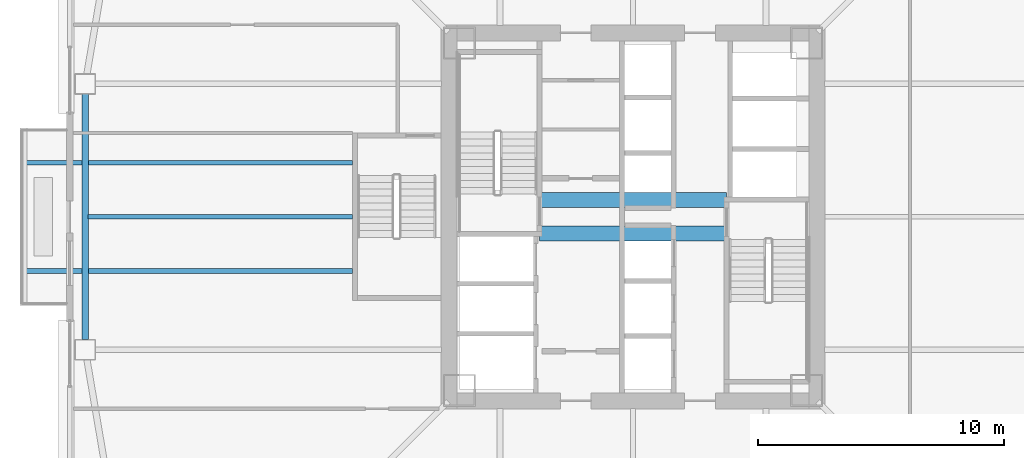
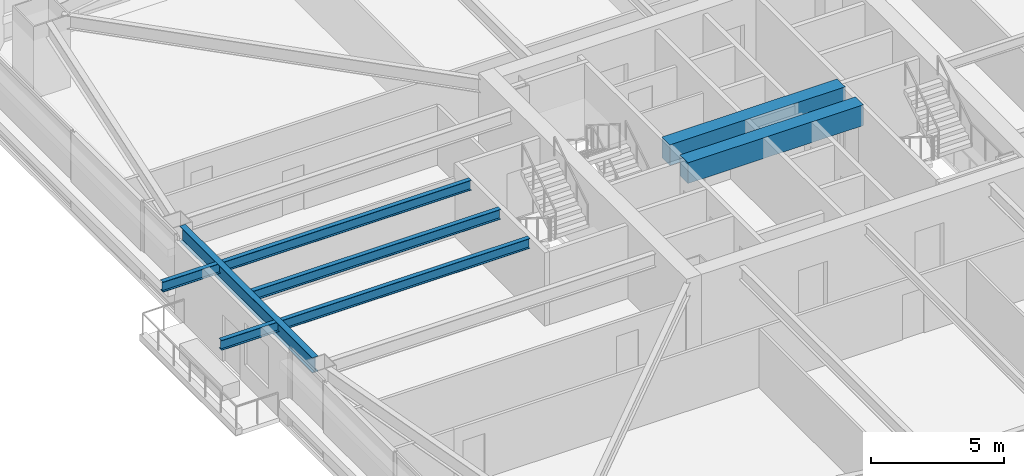
# One storey, part 7 of 47: 6 beams.
"""IFC4 building model written with IfcOpenShell, lengths in metres."""

import ifcopenshell
import ifcopenshell.guid

model = None  # the IFC model being written
_history = None  # IfcOwnerHistory: only IFC2X3 demands one
_inside = {}  # id of a spatial element -> (the spatial element, [elements in it])
_under = {}  # id of a project, library or spatial element -> (it, [spatial elements below it])
_declared = {}  # id of a project -> (the project, [libraries it declares])
_typed = {}  # id of a type object -> (the type object, [elements of that type])
_made_of = {}  # id of a material, layer set ... -> (it, [elements and type objects made of it])


def new_model(schema):
    """Start an empty IFC model of exactly this schema.

    Asked for "IFC4X3", IfcOpenShell would pick the latest addendum, in which some entities
    have other attributes; the version numbers below select the first issue.
    IFC2X3 requires an IfcOwnerHistory on every rooted entity: one is made here for all.
    """
    global model, _history
    if schema == "IFC4X3":
        model = ifcopenshell.file(schema_version=(4, 3, 0, 0))
    else:
        model = ifcopenshell.file(schema=schema)
    _inside.clear()
    _under.clear()
    _declared.clear()
    _typed.clear()
    _made_of.clear()
    _history = None
    if model.schema == "IFC2X3":
        org = make("IfcOrganization", Name="unknown")
        user = make(
            "IfcPersonAndOrganization",
            ThePerson=make("IfcPerson", FamilyName="unknown"),
            TheOrganization=org,
        )
        app = make(
            "IfcApplication",
            ApplicationDeveloper=org,
            Version="unknown",
            ApplicationFullName="unknown",
            ApplicationIdentifier="unknown",
        )
        _history = make(
            "IfcOwnerHistory",
            OwningUser=user,
            OwningApplication=app,
            ChangeAction="ADDED",
            CreationDate=0,
        )
    return model


def make(cls, **values):
    """One entity of the class cls with the attributes given. An attribute that is None is left unset."""
    return model.create_entity(
        cls, **{name: value for name, value in values.items() if value is not None}
    )


def rooted(cls, **values):
    """An entity with a GlobalId (a new one), such as an element, a storey or a relation."""
    return make(cls, GlobalId=ifcopenshell.guid.new(), OwnerHistory=_history, **values)


def si_unit(unit_type, name, prefix=None):
    """IfcSIUnit, for example si_unit("LENGTHUNIT", "METRE", prefix="MILLI")."""
    return make("IfcSIUnit", UnitType=unit_type, Prefix=prefix, Name=name)


def assignment(units):
    """IfcUnitAssignment: the units of a project."""
    return None if units is None else make("IfcUnitAssignment", Units=units)


def point(xyz):
    """IfcCartesianPoint."""
    return None if xyz is None else make("IfcCartesianPoint", Coordinates=xyz)


def direction(xyz):
    """IfcDirection."""
    return None if xyz is None else make("IfcDirection", DirectionRatios=xyz)


def frame(location, z_axis=None, x_axis=None):
    """IfcAxis2Placement3D, a coordinate frame: its origin and axes. An axis left out is left unset."""
    return make(
        "IfcAxis2Placement3D",
        Location=point(location),
        Axis=direction(z_axis),
        RefDirection=direction(x_axis),
    )


def frame_2d(location, x_axis=None):
    """IfcAxis2Placement2D, a coordinate frame in the plane: its origin and x axis."""
    return make(
        "IfcAxis2Placement2D", Location=point(location), RefDirection=direction(x_axis)
    )


def origin():
    """The frame at (0, 0, 0) with its axes left unset."""
    return frame((0.0, 0.0, 0.0))


def origin_2d():
    """The frame at (0, 0) in the plane with its x axis left unset."""
    return frame_2d((0.0, 0.0))


def place(relative_to, where):
    """IfcLocalPlacement: puts the frame where relative to a parent placement (None: the world)."""
    return make(
        "IfcLocalPlacement", PlacementRelTo=relative_to, RelativePlacement=where
    )


def context(
    kind, dimensions, precision=None, world=None, true_north=None, identifier=None
):
    """IfcGeometricRepresentationContext, for example the 3D "Model" context."""
    return make(
        "IfcGeometricRepresentationContext",
        ContextIdentifier=identifier,
        ContextType=kind,
        CoordinateSpaceDimension=dimensions,
        Precision=precision,
        WorldCoordinateSystem=world,
        TrueNorth=true_north,
    )


def subcontext(parent, identifier, kind, view, scale=None):
    """IfcGeometricRepresentationSubContext, for example "Body" below "Model"."""
    return make(
        "IfcGeometricRepresentationSubContext",
        ContextIdentifier=identifier,
        ContextType=kind,
        ParentContext=parent,
        TargetScale=scale,
        TargetView=view,
    )


def project(units=None, contexts=None):
    """IfcProject with its units and contexts."""
    return rooted(
        "IfcProject",
        Name="project",
        RepresentationContexts=contexts,
        UnitsInContext=assignment(units),
    )


def spatial(cls, under=None, at=None, **own):
    """A site, building, storey or space (cls), placed at a placement, below another one or the project."""
    s = rooted(cls, ObjectPlacement=at, **own)
    if under is not None:
        _under.setdefault(under.id(), (under, []))[1].append(s)
    return s


def profile(cls, at=None, kind="AREA", **sizes):
    """A parametric profile (cls). Its sizes go by their IFC names, for example OverallWidth=200.0."""
    return make(cls, ProfileType=kind, Position=at, **sizes)


def rectangle(**sizes):
    """IfcRectangleProfileDef."""
    return profile("IfcRectangleProfileDef", **sizes)


def i_section(**sizes):
    """IfcIShapeProfileDef."""
    return profile("IfcIShapeProfileDef", **sizes)


def extrude(swept, where, along, depth):
    """IfcExtrudedAreaSolid: the profile swept, set in the frame where, extruded along a direction by depth."""
    return make(
        "IfcExtrudedAreaSolid",
        SweptArea=swept,
        Position=where,
        ExtrudedDirection=direction(along),
        Depth=depth,
    )


def shape(context_of_items, identifier, shape_type, items):
    """IfcShapeRepresentation: the items that make up one representation, for example the "Body"."""
    return make(
        "IfcShapeRepresentation",
        ContextOfItems=context_of_items,
        RepresentationIdentifier=identifier,
        RepresentationType=shape_type,
        Items=items,
    )


def material(Name=None, Category=None):
    """IfcMaterial."""
    return make("IfcMaterial", Name=Name, Category=Category)


def material_profile(
    of_material, cross_section, Name=None, Category=None, Priority=None
):
    """IfcMaterialProfile: a cross section and its material."""
    return make(
        "IfcMaterialProfile",
        Name=Name,
        Material=of_material,
        Profile=cross_section,
        Priority=Priority,
        Category=Category,
    )


def profile_set(profiles, Name=None, composite=None):
    """IfcMaterialProfileSet."""
    return make(
        "IfcMaterialProfileSet",
        Name=Name,
        MaterialProfiles=profiles,
        CompositeProfile=composite,
    )


def made_of(thing, what):
    """Note that an element or type object is made of a material, layer set ...; save() writes the relation."""
    if what is not None:
        _made_of.setdefault(what.id(), (what, []))[1].append(thing)
    return thing


def type_object(cls, material=None, **own):
    """A type object (cls), such as IfcWallType, which elements share."""
    return made_of(rooted(cls, **own), material)


def element(
    cls,
    number,
    at=None,
    inside=None,
    cuts=None,
    type_object=None,
    material=None,
    context=None,
    identifier="Body",
    shape_type=None,
    held_by="IfcProductDefinitionShape",
    body=None,
    shapes=None,
    **own,
):
    """One element of the class cls, such as IfcWall. Its Tag is "e" and its number.

    at: its placement. inside: the storey or other place that contains it. cuts: it is an
    opening in that element (IfcRelVoidsElement). A single representation is given by context,
    identifier, shape_type and body (its items); several are given by shapes. held_by: the class
    of the entity that holds the representations. save() writes the other relations.
    """
    e = rooted(cls, Tag="e%d" % number, ObjectPlacement=at, **own)
    if body is not None:
        shapes = [shape(context, identifier, shape_type, body)]
    if shapes is not None:
        e.Representation = make(held_by, Representations=shapes)
    if inside is not None:
        _inside.setdefault(inside.id(), (inside, []))[1].append(e)
    if cuts is not None:
        rooted(
            "IfcRelVoidsElement", RelatingBuildingElement=cuts, RelatedOpeningElement=e
        )
    if type_object is not None:
        _typed.setdefault(type_object.id(), (type_object, []))[1].append(e)
    return made_of(e, material)


def aggregate(whole, parts):
    """IfcRelAggregates: a whole, such as a stair, and the parts it consists of."""
    return rooted("IfcRelAggregates", RelatingObject=whole, RelatedObjects=parts)


def save(model, path):
    """Write the relations noted so far, then the file.

    IfcRelAggregates (storeys below a building ...), IfcRelContainedInSpatialStructure (elements
    in a storey), IfcRelDefinesByType, IfcRelAssociatesMaterial and IfcRelDeclares: one each for
    every whole, place, type object, material and project.
    """
    for whole, parts in _under.values():
        aggregate(whole, parts)
    for where, things in _inside.values():
        rooted(
            "IfcRelContainedInSpatialStructure",
            RelatedElements=things,
            RelatingStructure=where,
        )
    for kind, things in _typed.values():
        rooted("IfcRelDefinesByType", RelatedObjects=things, RelatingType=kind)
    for what, things in _made_of.values():
        rooted("IfcRelAssociatesMaterial", RelatedObjects=things, RelatingMaterial=what)
    for by, libraries in _declared.values():
        rooted("IfcRelDeclares", RelatingContext=by, RelatedDefinitions=libraries)
    model.write(path)


model = new_model("IFC4")

# Units and contexts
model_context = context("Model", 3, precision=1e-05, world=origin(), true_north=direction((0.0, 1.0)))
body_context = subcontext(model_context, "Body", "Model", "MODEL_VIEW")
ifc_project = project(units=[si_unit("LENGTHUNIT", "METRE"), si_unit("AREAUNIT", "SQUARE_METRE"), si_unit("VOLUMEUNIT", "CUBIC_METRE"), si_unit("PLANEANGLEUNIT", "RADIAN"), si_unit("MASSUNIT", "GRAM", prefix="KILO")], contexts=[model_context])

# Site, building, storey
site_placement = place(None, origin())
site = spatial("IfcSite", under=ifc_project, at=site_placement, CompositionType="ELEMENT")
building_placement = place(site_placement, origin())
building = spatial("IfcBuilding", under=site, at=building_placement, Name="Tashvorn Skyway Center", CompositionType="ELEMENT")
storey_placement = place(building_placement, frame((0.0, 0.0, 42.35009765625)))
storey = spatial("IfcBuildingStorey", under=building, at=storey_placement, Name="L10", CompositionType="ELEMENT", Elevation=42.35009765625)

# Beams
ifc_material_1 = material(Name="Steel ASTM A992 Grade 50", Category="steel")
ifc_material_profile_1 = material_profile(ifc_material_1, i_section(OverallWidth=0.19091796875, OverallDepth=0.4599609375, WebThickness=0.010009765625, FlangeThickness=0.01611328125, at=origin_2d()), Name="W18X55")
ifc_profile_set_1 = profile_set([ifc_material_profile_1], Name="Steel ASTM A992 Grade 50")
beam_type_1 = type_object("IfcBeamType", Name="BM-JOIST-W18X55", PredefinedType="JOIST", material=ifc_profile_set_1)
beam_1_placement = place(storey_placement, frame((30.610107421875, 32.0, 3.119873046875), z_axis=(-1.0, 0.0, 0.0), x_axis=(0.0, -1.0, 0.0)))
element("IfcBeam", 1, at=beam_1_placement, inside=storey, type_object=beam_type_1, Name="Tower 1 L10 Secondary Composite Joist JW", PredefinedType="JOIST", context=body_context, shape_type="SweptSolid", body=[
    extrude(i_section(OverallWidth=0.19091796875, OverallDepth=0.4599609375, WebThickness=0.010009765625, FlangeThickness=0.01611328125, at=origin_2d()), origin(), (0.0, 0.0, 1.0), 10.739990234375),
])
for number, where, z_axis, x_axis, name in (
    (2, (30.610107421875, 29.800048828125, 3.119873046875), (-1.0, 0.0, 0.0), (0.0, -1.0, 0.0), "Tower 1 L11 Terrace Cantilever Outlooker 1"),
    (3, (30.610107421875, 34.199951171875, 3.119873046875), (-1.0, 0.0, 0.0), (0.0, -1.0, 0.0), "Tower 1 L11 Terrace Cantilever Outlooker 2"),
):
    element("IfcBeam", number, at=place(storey_placement, frame(where, z_axis=z_axis, x_axis=x_axis)), inside=storey, type_object=beam_type_1, Name=name, PredefinedType="JOIST", context=body_context, shape_type="SweptSolid", body=[
        extrude(i_section(OverallWidth=0.19091796875, OverallDepth=0.4599609375, WebThickness=0.010009765625, FlangeThickness=0.01611328125, at=origin_2d()), origin(), (0.0, 0.0, 1.0), 13.360107421875),
    ])
ifc_material_2 = material(Name="Concrete C60/75", Category="concrete")
ifc_material_profile_2 = material_profile(ifc_material_2, rectangle(XDim=0.60009765625, YDim=0.949951171875, at=origin_2d()), Name="RCB600x950")
ifc_profile_set_2 = profile_set([ifc_material_profile_2], Name="Concrete C60/75")
beam_type_2 = type_object("IfcBeamType", Name="BM-LINTEL-RCB600x950", PredefinedType="LINTEL", material=ifc_profile_set_2)
for number, where, z_axis, x_axis, name in (
    (4, (38.199951171875, 32.679931640625, 2.875), (1.0, 0.0, 0.0), (0.0, 1.0, 0.0), "Tower 1 L10 Core Coupling Beam CN"),
    (5, (38.199951171875, 31.320068359375, 2.875), (1.0, 0.0, 0.0), (0.0, 1.0, 0.0), "Tower 1 L10 Core Coupling Beam CS"),
):
    element("IfcBeam", number, at=place(storey_placement, frame(where, z_axis=z_axis, x_axis=x_axis)), inside=storey, type_object=beam_type_2, Name=name, PredefinedType="LINTEL", context=body_context, shape_type="SweptSolid", body=[
        extrude(rectangle(XDim=0.60009765625, YDim=0.949951171875, at=origin_2d()), origin(), (0.0, 0.0, 1.0), 7.60009765625),
    ])
ifc_material_profile_3 = material_profile(ifc_material_1, i_section(OverallWidth=0.256103515625, OverallDepth=0.693115234375, WebThickness=0.014404296875, FlangeThickness=0.023681640625, at=origin_2d()), Name="W27X114")
ifc_profile_set_3 = profile_set([ifc_material_profile_3], Name="Steel ASTM A992 Grade 50")
beam_type_3 = type_object("IfcBeamType", Name="BM-SPANDREL-W27X114", PredefinedType="SPANDREL", material=ifc_profile_set_3)
beam_2_placement = place(storey_placement, frame((19.75, 36.97998046875, 3.00341796875), z_axis=(0.0, -1.0, 0.0), x_axis=(1.0, 0.0, 0.0)))
element("IfcBeam", 6, at=beam_2_placement, inside=storey, type_object=beam_type_3, Name="Tower 1 L10 Spandrel Beam 11", PredefinedType="SPANDREL", context=body_context, shape_type="SweptSolid", body=[
    extrude(i_section(OverallWidth=0.256103515625, OverallDepth=0.693115234375, WebThickness=0.014404296875, FlangeThickness=0.023681640625, at=origin_2d()), origin(), (0.0, 0.0, 1.0), 9.9599609375),
])

save(model, "model.ifc")
